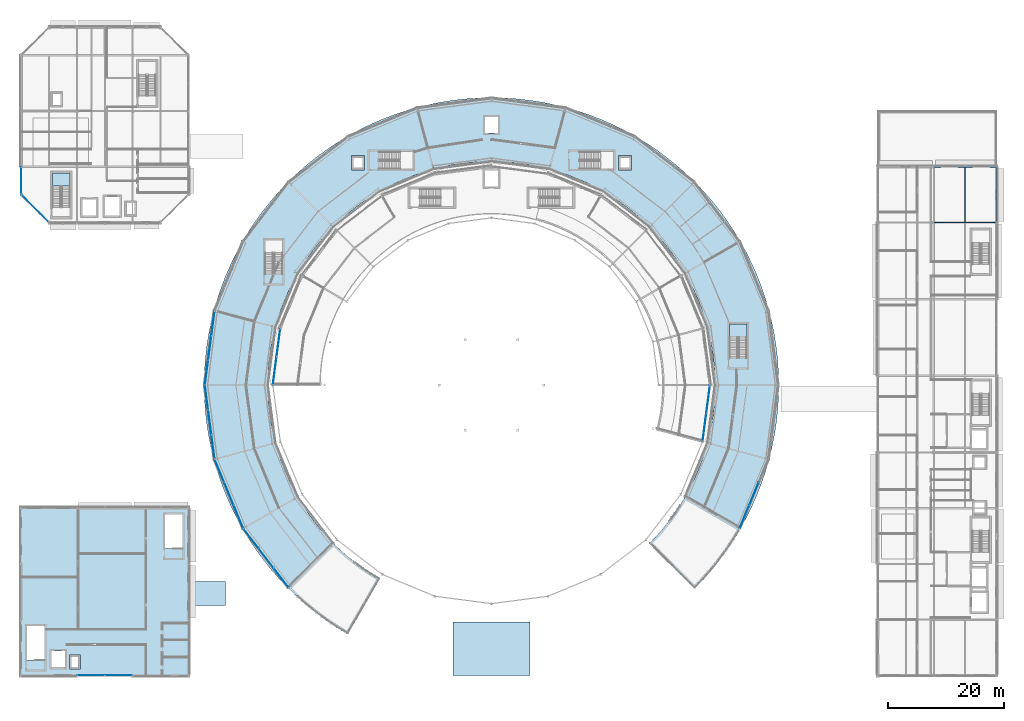
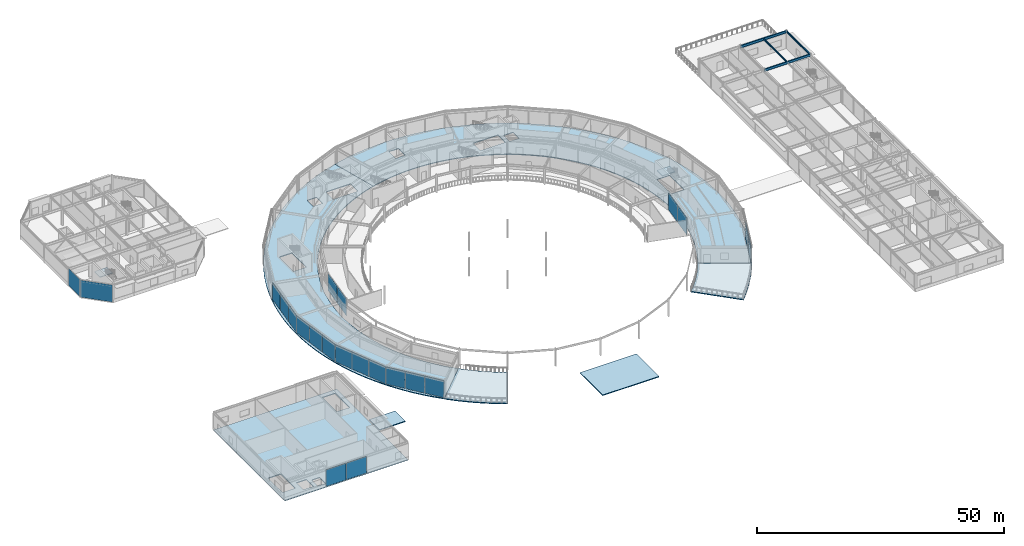
# One storey, part 95 of 133: 22 plates, 9 slabs, 4 beams, 12 elements without a shape of their own.
"""IFC4 building model written with IfcOpenShell, lengths in metres."""

import ifcopenshell
import ifcopenshell.guid

model = None  # the IFC model being written
_history = None  # IfcOwnerHistory: only IFC2X3 demands one
_inside = {}  # id of a spatial element -> (the spatial element, [elements in it])
_under = {}  # id of a project, library or spatial element -> (it, [spatial elements below it])
_declared = {}  # id of a project -> (the project, [libraries it declares])
_typed = {}  # id of a type object -> (the type object, [elements of that type])
_made_of = {}  # id of a material, layer set ... -> (it, [elements and type objects made of it])


def new_model(schema):
    """Start an empty IFC model of exactly this schema.

    Asked for "IFC4X3", IfcOpenShell would pick the latest addendum, in which some entities
    have other attributes; the version numbers below select the first issue.
    IFC2X3 requires an IfcOwnerHistory on every rooted entity: one is made here for all.
    """
    global model, _history
    if schema == "IFC4X3":
        model = ifcopenshell.file(schema_version=(4, 3, 0, 0))
    else:
        model = ifcopenshell.file(schema=schema)
    _inside.clear()
    _under.clear()
    _declared.clear()
    _typed.clear()
    _made_of.clear()
    _history = None
    if model.schema == "IFC2X3":
        org = make("IfcOrganization", Name="unknown")
        user = make(
            "IfcPersonAndOrganization",
            ThePerson=make("IfcPerson", FamilyName="unknown"),
            TheOrganization=org,
        )
        app = make(
            "IfcApplication",
            ApplicationDeveloper=org,
            Version="unknown",
            ApplicationFullName="unknown",
            ApplicationIdentifier="unknown",
        )
        _history = make(
            "IfcOwnerHistory",
            OwningUser=user,
            OwningApplication=app,
            ChangeAction="ADDED",
            CreationDate=0,
        )
    return model


def make(cls, **values):
    """One entity of the class cls with the attributes given. An attribute that is None is left unset."""
    return model.create_entity(
        cls, **{name: value for name, value in values.items() if value is not None}
    )


def rooted(cls, **values):
    """An entity with a GlobalId (a new one), such as an element, a storey or a relation."""
    return make(cls, GlobalId=ifcopenshell.guid.new(), OwnerHistory=_history, **values)


def si_unit(unit_type, name, prefix=None):
    """IfcSIUnit, for example si_unit("LENGTHUNIT", "METRE", prefix="MILLI")."""
    return make("IfcSIUnit", UnitType=unit_type, Prefix=prefix, Name=name)


def assignment(units):
    """IfcUnitAssignment: the units of a project."""
    return None if units is None else make("IfcUnitAssignment", Units=units)


def point(xyz):
    """IfcCartesianPoint."""
    return None if xyz is None else make("IfcCartesianPoint", Coordinates=xyz)


def direction(xyz):
    """IfcDirection."""
    return None if xyz is None else make("IfcDirection", DirectionRatios=xyz)


def frame(location, z_axis=None, x_axis=None):
    """IfcAxis2Placement3D, a coordinate frame: its origin and axes. An axis left out is left unset."""
    return make(
        "IfcAxis2Placement3D",
        Location=point(location),
        Axis=direction(z_axis),
        RefDirection=direction(x_axis),
    )


def frame_2d(location, x_axis=None):
    """IfcAxis2Placement2D, a coordinate frame in the plane: its origin and x axis."""
    return make(
        "IfcAxis2Placement2D", Location=point(location), RefDirection=direction(x_axis)
    )


def origin():
    """The frame at (0, 0, 0) with its axes left unset."""
    return frame((0.0, 0.0, 0.0))


def origin_2d():
    """The frame at (0, 0) in the plane with its x axis left unset."""
    return frame_2d((0.0, 0.0))


def place(relative_to, where):
    """IfcLocalPlacement: puts the frame where relative to a parent placement (None: the world)."""
    return make(
        "IfcLocalPlacement", PlacementRelTo=relative_to, RelativePlacement=where
    )


def context(
    kind, dimensions, precision=None, world=None, true_north=None, identifier=None
):
    """IfcGeometricRepresentationContext, for example the 3D "Model" context."""
    return make(
        "IfcGeometricRepresentationContext",
        ContextIdentifier=identifier,
        ContextType=kind,
        CoordinateSpaceDimension=dimensions,
        Precision=precision,
        WorldCoordinateSystem=world,
        TrueNorth=true_north,
    )


def subcontext(parent, identifier, kind, view, scale=None):
    """IfcGeometricRepresentationSubContext, for example "Body" below "Model"."""
    return make(
        "IfcGeometricRepresentationSubContext",
        ContextIdentifier=identifier,
        ContextType=kind,
        ParentContext=parent,
        TargetScale=scale,
        TargetView=view,
    )


def project(units=None, contexts=None):
    """IfcProject with its units and contexts."""
    return rooted(
        "IfcProject",
        Name="project",
        RepresentationContexts=contexts,
        UnitsInContext=assignment(units),
    )


def spatial(cls, under=None, at=None, **own):
    """A site, building, storey or space (cls), placed at a placement, below another one or the project."""
    s = rooted(cls, ObjectPlacement=at, **own)
    if under is not None:
        _under.setdefault(under.id(), (under, []))[1].append(s)
    return s


def polyline(points):
    """IfcPolyline through the points."""
    return make("IfcPolyline", Points=[point(p) for p in points])


def profile(cls, at=None, kind="AREA", **sizes):
    """A parametric profile (cls). Its sizes go by their IFC names, for example OverallWidth=200.0."""
    return make(cls, ProfileType=kind, Position=at, **sizes)


def rectangle(**sizes):
    """IfcRectangleProfileDef."""
    return profile("IfcRectangleProfileDef", **sizes)


def i_section(**sizes):
    """IfcIShapeProfileDef."""
    return profile("IfcIShapeProfileDef", **sizes)


def outline(outer, holes=None, kind="AREA"):
    """IfcArbitraryClosedProfileDef: a profile drawn as a closed curve; with holes, ...WithVoids."""
    if holes is None:
        return make("IfcArbitraryClosedProfileDef", ProfileType=kind, OuterCurve=outer)
    return make(
        "IfcArbitraryProfileDefWithVoids",
        ProfileType=kind,
        OuterCurve=outer,
        InnerCurves=holes,
    )


def extrude(swept, where, along, depth):
    """IfcExtrudedAreaSolid: the profile swept, set in the frame where, extruded along a direction by depth."""
    return make(
        "IfcExtrudedAreaSolid",
        SweptArea=swept,
        Position=where,
        ExtrudedDirection=direction(along),
        Depth=depth,
    )


def shape(context_of_items, identifier, shape_type, items):
    """IfcShapeRepresentation: the items that make up one representation, for example the "Body"."""
    return make(
        "IfcShapeRepresentation",
        ContextOfItems=context_of_items,
        RepresentationIdentifier=identifier,
        RepresentationType=shape_type,
        Items=items,
    )


def material(Name=None, Category=None):
    """IfcMaterial."""
    return make("IfcMaterial", Name=Name, Category=Category)


def layer(
    of_material, thickness, ventilated=None, Name=None, Category=None, Priority=None
):
    """IfcMaterialLayer: one layer of a wall or slab, of a material (None: an air gap)."""
    return make(
        "IfcMaterialLayer",
        Material=of_material,
        LayerThickness=thickness,
        IsVentilated=ventilated,
        Name=Name,
        Category=Category,
        Priority=Priority,
    )


def layer_set(layers, Name=None):
    """IfcMaterialLayerSet."""
    return make("IfcMaterialLayerSet", MaterialLayers=layers, LayerSetName=Name)


def material_profile(
    of_material, cross_section, Name=None, Category=None, Priority=None
):
    """IfcMaterialProfile: a cross section and its material."""
    return make(
        "IfcMaterialProfile",
        Name=Name,
        Material=of_material,
        Profile=cross_section,
        Priority=Priority,
        Category=Category,
    )


def profile_set(profiles, Name=None, composite=None):
    """IfcMaterialProfileSet."""
    return make(
        "IfcMaterialProfileSet",
        Name=Name,
        MaterialProfiles=profiles,
        CompositeProfile=composite,
    )


def made_of(thing, what):
    """Note that an element or type object is made of a material, layer set ...; save() writes the relation."""
    if what is not None:
        _made_of.setdefault(what.id(), (what, []))[1].append(thing)
    return thing


def type_object(cls, material=None, **own):
    """A type object (cls), such as IfcWallType, which elements share."""
    return made_of(rooted(cls, **own), material)


def element(
    cls,
    number,
    at=None,
    inside=None,
    cuts=None,
    type_object=None,
    material=None,
    context=None,
    identifier="Body",
    shape_type=None,
    held_by="IfcProductDefinitionShape",
    body=None,
    shapes=None,
    **own,
):
    """One element of the class cls, such as IfcWall. Its Tag is "e" and its number.

    at: its placement. inside: the storey or other place that contains it. cuts: it is an
    opening in that element (IfcRelVoidsElement). A single representation is given by context,
    identifier, shape_type and body (its items); several are given by shapes. held_by: the class
    of the entity that holds the representations. save() writes the other relations.
    """
    e = rooted(cls, Tag="e%d" % number, ObjectPlacement=at, **own)
    if body is not None:
        shapes = [shape(context, identifier, shape_type, body)]
    if shapes is not None:
        e.Representation = make(held_by, Representations=shapes)
    if inside is not None:
        _inside.setdefault(inside.id(), (inside, []))[1].append(e)
    if cuts is not None:
        rooted(
            "IfcRelVoidsElement", RelatingBuildingElement=cuts, RelatedOpeningElement=e
        )
    if type_object is not None:
        _typed.setdefault(type_object.id(), (type_object, []))[1].append(e)
    return made_of(e, material)


def aggregate(whole, parts):
    """IfcRelAggregates: a whole, such as a stair, and the parts it consists of."""
    return rooted("IfcRelAggregates", RelatingObject=whole, RelatedObjects=parts)


def save(model, path):
    """Write the relations noted so far, then the file.

    IfcRelAggregates (storeys below a building ...), IfcRelContainedInSpatialStructure (elements
    in a storey), IfcRelDefinesByType, IfcRelAssociatesMaterial and IfcRelDeclares: one each for
    every whole, place, type object, material and project.
    """
    for whole, parts in _under.values():
        aggregate(whole, parts)
    for where, things in _inside.values():
        rooted(
            "IfcRelContainedInSpatialStructure",
            RelatedElements=things,
            RelatingStructure=where,
        )
    for kind, things in _typed.values():
        rooted("IfcRelDefinesByType", RelatedObjects=things, RelatingType=kind)
    for what, things in _made_of.values():
        rooted("IfcRelAssociatesMaterial", RelatedObjects=things, RelatingMaterial=what)
    for by, libraries in _declared.values():
        rooted("IfcRelDeclares", RelatingContext=by, RelatedDefinitions=libraries)
    model.write(path)


model = new_model("IFC4")

# Units and contexts
model_context = context("Model", 3, precision=1e-05, world=origin(), true_north=direction((0.0, 1.0)))
body_context = subcontext(model_context, "Body", "Model", "MODEL_VIEW")
ifc_project = project(units=[si_unit("LENGTHUNIT", "METRE"), si_unit("AREAUNIT", "SQUARE_METRE"), si_unit("VOLUMEUNIT", "CUBIC_METRE"), si_unit("PLANEANGLEUNIT", "RADIAN"), si_unit("MASSUNIT", "GRAM", prefix="KILO")], contexts=[model_context])

# Site, building, storey
site_placement = place(None, origin())
site = spatial("IfcSite", under=ifc_project, at=site_placement, CompositionType="ELEMENT")
building_placement = place(site_placement, origin())
building = spatial("IfcBuilding", under=site, at=building_placement, Name="Almandine Court Research Institute", CompositionType="ELEMENT")
storey_placement = place(building_placement, frame((0.0, 0.0, 9.800048828125)))
storey = spatial("IfcBuildingStorey", under=building, at=storey_placement, Name="L02", CompositionType="ELEMENT", Elevation=9.800048828125)

# Beams
ifc_material_1 = material(Name="Steel ASTM A992 Grade 50", Category="steel")
ifc_material_profile_1 = material_profile(ifc_material_1, i_section(OverallWidth=0.178955078125, OverallDepth=0.409912109375, WebThickness=0.009033203125, FlangeThickness=0.013916015625, at=origin_2d()), Name="W410x67")
ifc_profile_set_1 = profile_set([ifc_material_profile_1], Name="Steel ASTM A992 Grade 50")
beam_type_1 = type_object("IfcBeamType", Name="Beam-B-02", PredefinedType="JOIST", material=ifc_profile_set_1)
beam_1_placement = place(storey_placement, frame((168.60009765625, 84.113037109375, 4.1650390625), z_axis=(0.0, 1.0, 0.0), x_axis=(-1.0, 0.0, 0.0)))
element("IfcBeam", 1, at=beam_1_placement, inside=storey, type_object=beam_type_1, Name="L02 V4 Composite Secondary Beam", PredefinedType="JOIST", context=body_context, shape_type="SweptSolid", body=[
    extrude(i_section(OverallWidth=0.178955078125, OverallDepth=0.409912109375, WebThickness=0.009033203125, FlangeThickness=0.013916015625, at=origin_2d()), origin(), (0.0, 0.0, 1.0), 9.3740234375),
])
ifc_material_profile_2 = material_profile(ifc_material_1, i_section(OverallWidth=0.22998046875, OverallDepth=0.616943359375, WebThickness=0.012939453125, FlangeThickness=0.02197265625, at=origin_2d()), Name="W610x140")
ifc_profile_set_2 = profile_set([ifc_material_profile_2], Name="Steel ASTM A992 Grade 50")
beam_type_2 = type_object("IfcBeamType", Name="Beam-G-02", PredefinedType="BEAM", material=ifc_profile_set_2)
for number, where, z_axis, x_axis, name in (
    (2, (163.199951171875, 84.0, 4.06103515625), (1.0, 0.0, 0.0), (0.0, 1.0, 0.0), "L02 V4 Primary X Girder"),
    (3, (163.199951171875, 93.60009765625, 4.06103515625), (1.0, 0.0, 0.0), (0.0, 1.0, 0.0), "L02 V4 Primary X Girder"),
):
    element("IfcBeam", number, at=place(storey_placement, frame(where, z_axis=z_axis, x_axis=x_axis)), inside=storey, type_object=beam_type_2, Name=name, PredefinedType="BEAM", context=body_context, shape_type="SweptSolid", body=[
        extrude(i_section(OverallWidth=0.22998046875, OverallDepth=0.616943359375, WebThickness=0.012939453125, FlangeThickness=0.02197265625, at=origin_2d()), origin(), (0.0, 0.0, 1.0), 10.800048828125),
    ])
ifc_material_profile_3 = material_profile(ifc_material_1, i_section(OverallWidth=0.193115234375, OverallDepth=0.466064453125, WebThickness=0.010986328125, FlangeThickness=0.01904296875, at=origin_2d()), Name="W460x97")
ifc_profile_set_3 = profile_set([ifc_material_profile_3], Name="Steel ASTM A992 Grade 50")
beam_type_3 = type_object("IfcBeamType", Name="Beam-G-06-E", PredefinedType="SPANDREL", material=ifc_profile_set_3)
beam_2_placement = place(storey_placement, frame((174.0, 84.0, 4.136962890625), z_axis=(0.0, 1.0, 0.0), x_axis=(-1.0, 0.0, 0.0)))
element("IfcBeam", 4, at=beam_2_placement, inside=storey, type_object=beam_type_3, Name="L02 V4 Primary Y Girder", PredefinedType="SPANDREL", context=body_context, shape_type="SweptSolid", body=[
    extrude(i_section(OverallWidth=0.193115234375, OverallDepth=0.466064453125, WebThickness=0.010986328125, FlangeThickness=0.01904296875, at=origin_2d()), origin(), (0.0, 0.0, 1.0), 9.60009765625),
])

# Curtain wall, plate
ifc_material_2 = material(Name="Unitised Curtain Wall Framing and Solar Glazing", Category="glass")
curtain_wall_type_1 = type_object("IfcCurtainWallType", Name="CW-CWG-05", PredefinedType="USERDEFINED", material=ifc_material_2)
curtain_wall_1_placement = place(storey_placement, origin())
curtain_wall_1 = element("IfcCurtainWall", 5, at=curtain_wall_1_placement, inside=storey, type_object=curtain_wall_type_1, Name="L02 Cleanroom SW Chamfer Glazing", ObjectType="UNITISED GLAZING", PredefinedType="USERDEFINED")
ifc_material_3 = material(Name="Double-Glazed Low-E Argon Insulated Glass", Category="glass")
ifc_layer_1 = layer(ifc_material_3, 0.028076171875)
ifc_layer_set_1 = layer_set([ifc_layer_1], Name="Double-Glazed Low-E Argon Insulated Glass")
plate_type_1 = type_object("IfcPlateType", Name="CWPnl-GLZ-28", PredefinedType="CURTAIN_PANEL", material=ifc_layer_set_1)
plate_1_placement = place(storey_placement, frame((8.39990234375, 86.39990234375, 0.06005859375), z_axis=(0.0, 0.0, 1.0), x_axis=(-0.707106781187, 0.707106781187, 0.0)))
plate_1 = element("IfcPlate", 6, at=plate_1_placement, type_object=plate_type_1, Name="CWG-05 panel 1.1", PredefinedType="CURTAIN_PANEL", context=body_context, shape_type="SweptSolid", body=[
    extrude(rectangle(XDim=6.656982421875, YDim=0.028076171875, at=origin_2d()), origin(), (0.0, 0.0, 1.0), 4.25),
])
aggregate(curtain_wall_1, [plate_1])

# Curtain wall, plates
curtain_wall_type_2 = type_object("IfcCurtainWallType", Name="CW-CWG-24", PredefinedType="USERDEFINED", material=ifc_material_2)
curtain_wall_2_placement = place(storey_placement, origin())
curtain_wall_2 = element("IfcCurtainWall", 7, at=curtain_wall_2_placement, inside=storey, type_object=curtain_wall_type_2, Name="L02 Interaction Atrium Perimeter Curtain Wall 23", ObjectType="UNITISED GLAZING", PredefinedType="USERDEFINED")
plate_2_placement = place(storey_placement, frame((124.32763671875, 53.546875, 0.06005859375), z_axis=(0.0, 0.0, 1.0), x_axis=(-0.130536164028, -0.991443548509, 0.0)))
plate_2 = element("IfcPlate", 8, at=plate_2_placement, type_object=plate_type_1, Name="CWG-24 panel 1.1", PredefinedType="CURTAIN_PANEL", context=body_context, shape_type="SweptSolid", body=[
    extrude(rectangle(XDim=4.820556640625, YDim=0.028076171875, at=origin_2d()), origin(), (0.0, 0.0, 1.0), 4.25),
])
plate_3_placement = place(storey_placement, frame((123.6904296875, 48.7080078125, 0.06005859375), z_axis=(0.0, 0.0, 1.0), x_axis=(-0.130536164028, -0.991443548509, 0.0)))
plate_3 = element("IfcPlate", 9, at=plate_3_placement, type_object=plate_type_1, Name="CWG-24 panel 2.1", PredefinedType="CURTAIN_PANEL", context=body_context, shape_type="SweptSolid", body=[
    extrude(rectangle(XDim=4.820556640625, YDim=0.028076171875, at=origin_2d()), origin(), (0.0, 0.0, 1.0), 4.25),
])
aggregate(curtain_wall_2, [plate_2, plate_3])

curtain_wall_3_placement = place(storey_placement, origin())
curtain_wall_3 = element("IfcCurtainWall", 10, at=curtain_wall_3_placement, inside=storey, type_object=curtain_wall_type_2, Name="L02 Interaction Atrium Perimeter Curtain Wall 11", ObjectType="UNITISED GLAZING", PredefinedType="USERDEFINED")
plate_4_placement = place(storey_placement, frame((49.67236328125, 58.453125, 0.06005859375), z_axis=(0.0, 0.0, 1.0), x_axis=(0.130536164028, 0.991443548509, 0.0)))
plate_4 = element("IfcPlate", 11, at=plate_4_placement, type_object=plate_type_1, Name="CWG-24 panel 1.1", PredefinedType="CURTAIN_PANEL", context=body_context, shape_type="SweptSolid", body=[
    extrude(rectangle(XDim=4.820556640625, YDim=0.028076171875, at=origin_2d()), origin(), (0.0, 0.0, 1.0), 4.25),
])
plate_5_placement = place(storey_placement, frame((50.3095703125, 63.2919921875, 0.06005859375), z_axis=(0.0, 0.0, 1.0), x_axis=(0.130536164028, 0.991443548509, 0.0)))
plate_5 = element("IfcPlate", 12, at=plate_5_placement, type_object=plate_type_1, Name="CWG-24 panel 2.1", PredefinedType="CURTAIN_PANEL", context=body_context, shape_type="SweptSolid", body=[
    extrude(rectangle(XDim=4.820556640625, YDim=0.028076171875, at=origin_2d()), origin(), (0.0, 0.0, 1.0), 4.25),
])
aggregate(curtain_wall_3, [plate_4, plate_5])

curtain_wall_type_3 = type_object("IfcCurtainWallType", Name="CW-CWJ-03", PredefinedType="USERDEFINED", material=ifc_material_2)
curtain_wall_4_placement = place(storey_placement, origin())
curtain_wall_4 = element("IfcCurtainWall", 13, at=curtain_wall_4_placement, inside=storey, type_object=curtain_wall_type_3, Name="L02 Lecture Foyer South Jali Curtain Wall", ObjectType="SOLAR JALI SCREEN", PredefinedType="USERDEFINED")
ifc_material_4 = material(Name="Perforated Ochre Terracotta Jali Solar Cassette", Category="masonry")
ifc_layer_2 = layer(ifc_material_4, 0.035888671875)
ifc_layer_set_2 = layer_set([ifc_layer_2], Name="Perforated Ochre Terracotta Jali Solar Cassette")
plate_type_2 = type_object("IfcPlateType", Name="CWPnl-JALI-36", PredefinedType="CURTAIN_PANEL", material=ifc_layer_set_2)
plate_6_placement = place(storey_placement, frame((22.78173828125, 6.0, 0.06494140625), z_axis=(0.0, 0.0, 1.0), x_axis=(-1.0, 0.0, 0.0)))
plate_6 = element("IfcPlate", 14, at=plate_6_placement, type_object=plate_type_2, Name="CWJ-03 panel 1.1", PredefinedType="CURTAIN_PANEL", context=body_context, shape_type="SweptSolid", body=[
    extrude(rectangle(XDim=4.698486328125, YDim=0.035888671875, at=origin_2d()), origin(), (0.0, 0.0, 1.0), 4.1201171875),
])
plate_7_placement = place(storey_placement, frame((18.018310546875, 6.0, 0.06494140625), z_axis=(0.0, 0.0, 1.0), x_axis=(-1.0, 0.0, 0.0)))
plate_7 = element("IfcPlate", 15, at=plate_7_placement, type_object=plate_type_2, Name="CWJ-03 panel 2.1", PredefinedType="CURTAIN_PANEL", context=body_context, shape_type="SweptSolid", body=[
    extrude(rectangle(XDim=4.698486328125, YDim=0.035888671875, at=origin_2d()), origin(), (0.0, 0.0, 1.0), 4.1201171875),
])
aggregate(curtain_wall_4, [plate_6, plate_7])

# Curtain wall, plate
curtain_wall_type_4 = type_object("IfcCurtainWallType", Name="CW-CWJ-06", PredefinedType="USERDEFINED", material=ifc_material_2)
curtain_wall_5_placement = place(storey_placement, origin())
curtain_wall_5 = element("IfcCurtainWall", 16, at=curtain_wall_5_placement, inside=storey, type_object=curtain_wall_type_4, Name="L02 Cleanroom West Jali Curtain Wall", ObjectType="SOLAR JALI SCREEN", PredefinedType="USERDEFINED")
plate_8_placement = place(storey_placement, frame((6.0, 91.199951171875, 0.06494140625), z_axis=(0.0, 0.0, 1.0), x_axis=(0.0, 1.0, 0.0)))
plate_8 = element("IfcPlate", 17, at=plate_8_placement, type_object=plate_type_2, Name="CWJ-06 panel 1.1", PredefinedType="CURTAIN_PANEL", context=body_context, shape_type="SweptSolid", body=[
    extrude(rectangle(XDim=4.662109375, YDim=0.035888671875, at=origin_2d()), origin(), (0.0, 0.0, 1.0), 4.239990234375),
])
aggregate(curtain_wall_5, [plate_8])

# Curtain wall, plates
curtain_wall_type_5 = type_object("IfcCurtainWallType", Name="CW-CWJ-19", PredefinedType="USERDEFINED", material=ifc_material_2)
curtain_wall_6_placement = place(storey_placement, origin())
curtain_wall_6 = element("IfcCurtainWall", 18, at=curtain_wall_6_placement, inside=storey, type_object=curtain_wall_type_5, Name="L02 Stacked-Ring Drum Outer Solar Jali Screen 22", ObjectType="SOLAR JALI SCREEN", PredefinedType="USERDEFINED")
plate_9_placement = place(storey_placement, frame((132.212890625, 37.27197265625, 0.06494140625), z_axis=(0.0, 0.0, 1.0), x_axis=(-0.382662689242, -0.923888124321, 0.0)))
plate_9 = element("IfcPlate", 19, at=plate_9_placement, type_object=plate_type_2, Name="CWJ-19 panel 2.1", PredefinedType="CURTAIN_PANEL", context=body_context, shape_type="SweptSolid", body=[
    extrude(rectangle(XDim=4.227783203125, YDim=0.035888671875, at=origin_2d()), origin(), (0.0, 0.0, 1.0), 4.239990234375),
])
plate_10_placement = place(storey_placement, frame((130.57666015625, 33.321044921875, 0.06494140625), z_axis=(0.0, 0.0, 1.0), x_axis=(-0.382662689242, -0.923888124321, 0.0)))
plate_10 = element("IfcPlate", 20, at=plate_10_placement, type_object=plate_type_2, Name="CWJ-19 panel 3.1", PredefinedType="CURTAIN_PANEL", context=body_context, shape_type="SweptSolid", body=[
    extrude(rectangle(XDim=4.1953125, YDim=0.035888671875, at=origin_2d()), origin(), (0.0, 0.0, 1.0), 4.239990234375),
])
aggregate(curtain_wall_6, [plate_9, plate_10])

curtain_wall_7_placement = place(storey_placement, origin())
curtain_wall_7 = element("IfcCurtainWall", 21, at=curtain_wall_7_placement, inside=storey, type_object=curtain_wall_type_5, Name="L02 Stacked-Ring Drum Outer Solar Jali Screen 11", ObjectType="SOLAR JALI SCREEN", PredefinedType="USERDEFINED")
plate_11_placement = place(storey_placement, frame((37.92236328125, 58.14794921875, 0.06494140625), z_axis=(0.0, 0.0, 1.0), x_axis=(0.130540891259, 0.991442926098, 0.0)))
plate_11 = element("IfcPlate", 22, at=plate_11_placement, type_object=plate_type_2, Name="CWJ-19 panel 1.1", PredefinedType="CURTAIN_PANEL", context=body_context, shape_type="SweptSolid", body=[
    extrude(rectangle(XDim=4.19482421875, YDim=0.035888671875, at=origin_2d()), origin(), (0.0, 0.0, 1.0), 4.239990234375),
])
plate_12_placement = place(storey_placement, frame((38.48046875, 62.387451171875, 0.06494140625), z_axis=(0.0, 0.0, 1.0), x_axis=(0.130540891259, 0.991442926098, 0.0)))
plate_12 = element("IfcPlate", 23, at=plate_12_placement, type_object=plate_type_2, Name="CWJ-19 panel 2.1", PredefinedType="CURTAIN_PANEL", context=body_context, shape_type="SweptSolid", body=[
    extrude(rectangle(XDim=4.227294921875, YDim=0.035888671875, at=origin_2d()), origin(), (0.0, 0.0, 1.0), 4.239990234375),
])
plate_13_placement = place(storey_placement, frame((39.038818359375, 66.626953125, 0.06494140625), z_axis=(0.0, 0.0, 1.0), x_axis=(0.130540891259, 0.991442926098, 0.0)))
plate_13 = element("IfcPlate", 24, at=plate_13_placement, type_object=plate_type_2, Name="CWJ-19 panel 3.1", PredefinedType="CURTAIN_PANEL", context=body_context, shape_type="SweptSolid", body=[
    extrude(rectangle(XDim=4.19482421875, YDim=0.035888671875, at=origin_2d()), origin(), (0.0, 0.0, 1.0), 4.239990234375),
])
aggregate(curtain_wall_7, [plate_11, plate_12, plate_13])

curtain_wall_8_placement = place(storey_placement, origin())
curtain_wall_8 = element("IfcCurtainWall", 25, at=curtain_wall_8_placement, inside=storey, type_object=curtain_wall_type_5, Name="L02 Stacked-Ring Drum Outer Solar Jali Screen 12", ObjectType="SOLAR JALI SCREEN", PredefinedType="USERDEFINED")
plate_14_placement = place(storey_placement, frame((39.038818359375, 45.373046875, 0.06494140625), z_axis=(0.0, 0.0, 1.0), x_axis=(-0.130540891259, 0.991442926098, 0.0)))
plate_14 = element("IfcPlate", 26, at=plate_14_placement, type_object=plate_type_2, Name="CWJ-19 panel 1.1", PredefinedType="CURTAIN_PANEL", context=body_context, shape_type="SweptSolid", body=[
    extrude(rectangle(XDim=4.19482421875, YDim=0.035888671875, at=origin_2d()), origin(), (0.0, 0.0, 1.0), 4.239990234375),
])
plate_15_placement = place(storey_placement, frame((38.48046875, 49.612548828125, 0.06494140625), z_axis=(0.0, 0.0, 1.0), x_axis=(-0.130540891259, 0.991442926098, 0.0)))
plate_15 = element("IfcPlate", 27, at=plate_15_placement, type_object=plate_type_2, Name="CWJ-19 panel 2.1", PredefinedType="CURTAIN_PANEL", context=body_context, shape_type="SweptSolid", body=[
    extrude(rectangle(XDim=4.227294921875, YDim=0.035888671875, at=origin_2d()), origin(), (0.0, 0.0, 1.0), 4.239990234375),
])
plate_16_placement = place(storey_placement, frame((37.92236328125, 53.85205078125, 0.06494140625), z_axis=(0.0, 0.0, 1.0), x_axis=(-0.130540891259, 0.991442926098, 0.0)))
plate_16 = element("IfcPlate", 28, at=plate_16_placement, type_object=plate_type_2, Name="CWJ-19 panel 3.1", PredefinedType="CURTAIN_PANEL", context=body_context, shape_type="SweptSolid", body=[
    extrude(rectangle(XDim=4.19482421875, YDim=0.035888671875, at=origin_2d()), origin(), (0.0, 0.0, 1.0), 4.239990234375),
])
aggregate(curtain_wall_8, [plate_14, plate_15, plate_16])

curtain_wall_9_placement = place(storey_placement, origin())
curtain_wall_9 = element("IfcCurtainWall", 29, at=curtain_wall_9_placement, inside=storey, type_object=curtain_wall_type_5, Name="L02 Stacked-Ring Drum Outer Solar Jali Screen 13", ObjectType="SOLAR JALI SCREEN", PredefinedType="USERDEFINED")
plate_17_placement = place(storey_placement, frame((43.42333984375, 33.321044921875, 0.06494140625), z_axis=(0.0, 0.0, 1.0), x_axis=(-0.382662689242, 0.923888124321, 0.0)))
plate_17 = element("IfcPlate", 30, at=plate_17_placement, type_object=plate_type_2, Name="CWJ-19 panel 1.1", PredefinedType="CURTAIN_PANEL", context=body_context, shape_type="SweptSolid", body=[
    extrude(rectangle(XDim=4.1953125, YDim=0.035888671875, at=origin_2d()), origin(), (0.0, 0.0, 1.0), 4.239990234375),
])
plate_18_placement = place(storey_placement, frame((41.787109375, 37.27197265625, 0.06494140625), z_axis=(0.0, 0.0, 1.0), x_axis=(-0.382662689242, 0.923888124321, 0.0)))
plate_18 = element("IfcPlate", 31, at=plate_18_placement, type_object=plate_type_2, Name="CWJ-19 panel 2.1", PredefinedType="CURTAIN_PANEL", context=body_context, shape_type="SweptSolid", body=[
    extrude(rectangle(XDim=4.227783203125, YDim=0.035888671875, at=origin_2d()), origin(), (0.0, 0.0, 1.0), 4.239990234375),
])
plate_19_placement = place(storey_placement, frame((40.150634765625, 41.222900390625, 0.06494140625), z_axis=(0.0, 0.0, 1.0), x_axis=(-0.382662689242, 0.923888124321, 0.0)))
plate_19 = element("IfcPlate", 32, at=plate_19_placement, type_object=plate_type_2, Name="CWJ-19 panel 3.1", PredefinedType="CURTAIN_PANEL", context=body_context, shape_type="SweptSolid", body=[
    extrude(rectangle(XDim=4.1953125, YDim=0.035888671875, at=origin_2d()), origin(), (0.0, 0.0, 1.0), 4.239990234375),
])
aggregate(curtain_wall_9, [plate_17, plate_18, plate_19])

curtain_wall_10_placement = place(storey_placement, origin())
curtain_wall_10 = element("IfcCurtainWall", 33, at=curtain_wall_10_placement, inside=storey, type_object=curtain_wall_type_5, Name="L02 Stacked-Ring Drum Outer Solar Jali Screen 14", ObjectType="SOLAR JALI SCREEN", PredefinedType="USERDEFINED")
plate_20_placement = place(storey_placement, frame((50.777587890625, 22.815673828125, 0.06494140625), z_axis=(0.0, 0.0, 1.0), x_axis=(-0.608723313303, 0.793382586046, 0.0)))
plate_20 = element("IfcPlate", 34, at=plate_20_placement, type_object=plate_type_2, Name="CWJ-19 panel 1.1", PredefinedType="CURTAIN_PANEL", context=body_context, shape_type="SweptSolid", body=[
    extrude(rectangle(XDim=4.195068359375, YDim=0.035888671875, at=origin_2d()), origin(), (0.0, 0.0, 1.0), 4.239990234375),
])
plate_21_placement = place(storey_placement, frame((48.174560546875, 26.20849609375, 0.06494140625), z_axis=(0.0, 0.0, 1.0), x_axis=(-0.608723313303, 0.793382586046, 0.0)))
plate_21 = element("IfcPlate", 35, at=plate_21_placement, type_object=plate_type_2, Name="CWJ-19 panel 2.1", PredefinedType="CURTAIN_PANEL", context=body_context, shape_type="SweptSolid", body=[
    extrude(rectangle(XDim=4.2275390625, YDim=0.035888671875, at=origin_2d()), origin(), (0.0, 0.0, 1.0), 4.239990234375),
])
plate_22_placement = place(storey_placement, frame((45.5712890625, 29.601318359375, 0.06494140625), z_axis=(0.0, 0.0, 1.0), x_axis=(-0.608723313303, 0.793382586046, 0.0)))
plate_22 = element("IfcPlate", 36, at=plate_22_placement, type_object=plate_type_2, Name="CWJ-19 panel 3.1", PredefinedType="CURTAIN_PANEL", context=body_context, shape_type="SweptSolid", body=[
    extrude(rectangle(XDim=4.195068359375, YDim=0.035888671875, at=origin_2d()), origin(), (0.0, 0.0, 1.0), 4.239990234375),
])
aggregate(curtain_wall_10, [plate_20, plate_21, plate_22])

# Slabs
ifc_material_5 = material(Name="Concrete C35/45", Category="concrete")
ifc_layer_3 = layer(ifc_material_5, 0.179931640625)
ifc_layer_set_3 = layer_set([ifc_layer_3], Name="Concrete C35/45")
slab_type_1 = type_object("IfcSlabType", Name="Slab-FLR-180", PredefinedType="FLOOR", material=ifc_layer_set_3)
slab_1_placement = place(storey_placement, frame((0.0, 0.0, -0.179931640625)))
element("IfcSlab", 37, at=slab_1_placement, inside=storey, type_object=slab_type_1, Name="L02 Volume 1 Lecture Pavilion Structural Slab", PredefinedType="FLOOR", context=body_context, shape_type="SweptSolid", body=[
    extrude(outline(polyline([(6.0, 6.0), (34.800048828125, 6.0), (34.800048828125, 34.800048828125), (6.0, 34.800048828125), (6.0, 6.0)]), holes=[polyline([(10.0, 8.64990234375), (10.0, 14.5), (7.0, 14.5), (7.0, 8.64990234375), (10.0, 8.64990234375)]), polyline([(33.800048828125, 27.85009765625), (33.800048828125, 33.699951171875), (30.800048828125, 33.699951171875), (30.800048828125, 27.85009765625), (33.800048828125, 27.85009765625)]), polyline([(11.199951171875, 7.39990234375), (13.5, 7.39990234375), (13.5, 10.199951171875), (11.199951171875, 10.199951171875), (11.199951171875, 7.39990234375)]), polyline([(14.330078125, 7.080078125), (16.169921875, 7.080078125), (16.169921875, 9.52001953125), (14.330078125, 9.52001953125), (14.330078125, 7.080078125)])]), origin(), (0.0, 0.0, 1.0), 0.179931640625),
])
slab_2_placement = place(storey_placement, frame((0.0, 0.0, -0.179931640625)))
element("IfcSlab", 38, at=slab_2_placement, inside=storey, type_object=slab_type_1, Name="L02 Volume 5 Stacked-Ring Drum E Laboratory Slab", PredefinedType="FLOOR", context=body_context, shape_type="SweptSolid", body=[
    extrude(outline(polyline([(129.867919921875, 31.25), (130.906982421875, 33.14306640625), (131.862060546875, 35.080078125), (132.73193359375, 37.056884765625), (133.514892578125, 39.070068359375), (134.208984375, 41.114990234375), (134.81298828125, 43.18798828125), (135.326904296875, 45.285888671875), (135.748046875, 47.404052734375), (136.076904296875, 49.5390625), (136.31201171875, 51.68603515625), (136.452880859375, 53.841064453125), (136.5, 56.0), (136.452880859375, 58.158935546875), (136.31201171875, 60.31396484375), (136.076904296875, 62.4609375), (135.748046875, 64.595947265625), (135.326904296875, 66.714111328125), (134.81298828125, 68.81201171875), (134.208984375, 70.885009765625), (133.514892578125, 72.929931640625), (132.73193359375, 74.943115234375), (131.862060546875, 76.919921875), (130.906982421875, 78.85693359375), (129.867919921875, 80.75), (128.748046875, 82.595947265625), (127.548095703125, 84.39208984375), (126.27099609375, 86.134033203125), (124.9189453125, 87.818115234375), (123.4951171875, 89.44189453125), (122.001953125, 91.001953125), (120.44189453125, 92.4951171875), (118.818115234375, 93.9189453125), (117.134033203125, 95.27099609375), (115.39208984375, 96.548095703125), (113.595947265625, 97.748046875), (111.75, 98.867919921875), (109.85693359375, 99.906982421875), (107.919921875, 100.862060546875), (105.943115234375, 101.73193359375), (103.929931640625, 102.514892578125), (101.885009765625, 103.208984375), (99.81201171875, 103.81298828125), (97.714111328125, 104.326904296875), (95.595947265625, 104.748046875), (93.4609375, 105.076904296875), (91.31396484375, 105.31201171875), (89.158935546875, 105.452880859375), (87.0, 105.5), (84.841064453125, 105.452880859375), (82.68603515625, 105.31201171875), (80.5390625, 105.076904296875), (78.404052734375, 104.748046875), (76.285888671875, 104.326904296875), (74.18798828125, 103.81298828125), (77.034912109375, 93.18798828125), (78.6669921875, 93.5869140625), (80.31494140625, 93.9150390625), (81.97509765625, 94.1708984375), (83.64501953125, 94.35302734375), (85.321044921875, 94.462890625), (87.0, 94.5), (88.678955078125, 94.462890625), (90.35498046875, 94.35302734375), (92.02490234375, 94.1708984375), (93.68505859375, 93.9150390625), (95.3330078125, 93.5869140625), (96.965087890625, 93.18798828125), (98.576904296875, 92.718017578125), (100.16796875, 92.177978515625), (101.73291015625, 91.569091796875), (103.27099609375, 90.89306640625), (104.777099609375, 90.14990234375), (106.25, 89.342041015625), (107.68603515625, 88.470947265625), (109.0830078125, 87.537109375), (110.43701171875, 86.5439453125), (111.7470703125, 85.492919921875), (113.010009765625, 84.385009765625), (114.22412109375, 83.22412109375), (115.385009765625, 82.010009765625), (116.492919921875, 80.7470703125), (117.5439453125, 79.43701171875), (118.537109375, 78.0830078125), (119.470947265625, 76.68603515625), (120.342041015625, 75.25), (121.14990234375, 73.777099609375), (121.89306640625, 72.27099609375), (122.569091796875, 70.73291015625), (123.177978515625, 69.16796875), (123.718017578125, 67.576904296875), (124.18798828125, 65.965087890625), (124.5869140625, 64.3330078125), (124.9150390625, 62.68505859375), (125.1708984375, 61.02490234375), (125.35302734375, 59.35498046875), (125.462890625, 57.678955078125), (125.5, 56.0), (125.462890625, 54.321044921875), (125.35302734375, 52.64501953125), (125.1708984375, 50.97509765625), (124.9150390625, 49.31494140625), (124.5869140625, 47.6669921875), (124.18798828125, 46.034912109375), (123.718017578125, 44.423095703125), (123.177978515625, 42.83203125), (122.569091796875, 41.26708984375), (121.89306640625, 39.72900390625), (121.14990234375, 38.222900390625), (120.342041015625, 36.75), (129.867919921875, 31.25)]), holes=[polyline([(102.14990234375, 93.199951171875), (108.0, 93.199951171875), (108.0, 96.199951171875), (102.14990234375, 96.199951171875), (102.14990234375, 93.199951171875)]), polyline([(131.0, 60.64990234375), (131.0, 66.5), (128.0, 66.5), (128.0, 60.64990234375), (131.0, 60.64990234375)]), polyline([(85.85009765625, 99.39990234375), (88.14990234375, 99.39990234375), (88.14990234375, 102.199951171875), (85.85009765625, 102.199951171875), (85.85009765625, 99.39990234375)]), polyline([(108.8798828125, 93.080078125), (111.1201171875, 93.080078125), (111.1201171875, 95.52001953125), (108.8798828125, 95.52001953125), (108.8798828125, 93.080078125)])]), origin(), (0.0, 0.0, 1.0), 0.179931640625),
])
slab_3_placement = place(storey_placement, frame((0.0, 0.0, -0.179931640625)))
element("IfcSlab", 39, at=slab_3_placement, inside=storey, type_object=slab_type_1, Name="L02 Volume 5 Stacked-Ring Drum W Laboratory Slab", PredefinedType="FLOOR", context=body_context, shape_type="SweptSolid", body=[
    extrude(outline(polyline([(74.18798828125, 103.81298828125), (72.114990234375, 103.208984375), (70.070068359375, 102.514892578125), (68.056884765625, 101.73193359375), (66.080078125, 100.862060546875), (64.14306640625, 99.906982421875), (62.25, 98.867919921875), (60.404052734375, 97.748046875), (58.60791015625, 96.548095703125), (56.865966796875, 95.27099609375), (55.181884765625, 93.9189453125), (53.55810546875, 92.4951171875), (51.998046875, 91.001953125), (50.5048828125, 89.44189453125), (49.0810546875, 87.818115234375), (47.72900390625, 86.134033203125), (46.451904296875, 84.39208984375), (45.251953125, 82.595947265625), (44.132080078125, 80.75), (43.093017578125, 78.85693359375), (42.137939453125, 76.919921875), (41.26806640625, 74.943115234375), (40.485107421875, 72.929931640625), (39.791015625, 70.885009765625), (39.18701171875, 68.81201171875), (38.673095703125, 66.714111328125), (38.251953125, 64.595947265625), (37.923095703125, 62.4609375), (37.68798828125, 60.31396484375), (37.547119140625, 58.158935546875), (37.5, 56.0), (37.547119140625, 53.841064453125), (37.68798828125, 51.68603515625), (37.923095703125, 49.5390625), (38.251953125, 47.404052734375), (38.673095703125, 45.285888671875), (39.18701171875, 43.18798828125), (39.791015625, 41.114990234375), (40.485107421875, 39.070068359375), (41.26806640625, 37.056884765625), (42.137939453125, 35.080078125), (43.093017578125, 33.14306640625), (44.132080078125, 31.25), (45.251953125, 29.404052734375), (46.451904296875, 27.60791015625), (47.72900390625, 25.865966796875), (49.0810546875, 24.181884765625), (50.5048828125, 22.55810546875), (51.998046875, 20.998046875), (59.77587890625, 28.77587890625), (58.614990234375, 29.989990234375), (57.507080078125, 31.2529296875), (56.4560546875, 32.56298828125), (55.462890625, 33.9169921875), (54.529052734375, 35.31396484375), (53.657958984375, 36.75), (52.85009765625, 38.222900390625), (52.10693359375, 39.72900390625), (51.430908203125, 41.26708984375), (50.822021484375, 42.83203125), (50.281982421875, 44.423095703125), (49.81201171875, 46.034912109375), (49.4130859375, 47.6669921875), (49.0849609375, 49.31494140625), (48.8291015625, 50.97509765625), (48.64697265625, 52.64501953125), (48.537109375, 54.321044921875), (48.5, 56.0), (48.537109375, 57.678955078125), (48.64697265625, 59.35498046875), (48.8291015625, 61.02490234375), (49.0849609375, 62.68505859375), (49.4130859375, 64.3330078125), (49.81201171875, 65.965087890625), (50.281982421875, 67.576904296875), (50.822021484375, 69.16796875), (51.430908203125, 70.73291015625), (52.10693359375, 72.27099609375), (52.85009765625, 73.777099609375), (53.657958984375, 75.25), (54.529052734375, 76.68603515625), (55.462890625, 78.0830078125), (56.4560546875, 79.43701171875), (57.507080078125, 80.7470703125), (58.614990234375, 82.010009765625), (59.77587890625, 83.22412109375), (60.989990234375, 84.385009765625), (62.2529296875, 85.492919921875), (63.56298828125, 86.5439453125), (64.9169921875, 87.537109375), (66.31396484375, 88.470947265625), (67.75, 89.342041015625), (69.222900390625, 90.14990234375), (70.72900390625, 90.89306640625), (72.26708984375, 91.569091796875), (73.83203125, 92.177978515625), (75.423095703125, 92.718017578125), (77.034912109375, 93.18798828125), (74.18798828125, 103.81298828125)]), holes=[polyline([(67.64990234375, 93.199951171875), (73.5, 93.199951171875), (73.5, 96.199951171875), (67.64990234375, 96.199951171875), (67.64990234375, 93.199951171875)]), polyline([(51.0, 75.14990234375), (51.0, 81.0), (48.0, 81.0), (48.0, 75.14990234375), (51.0, 75.14990234375)]), polyline([(62.8798828125, 93.080078125), (65.1201171875, 93.080078125), (65.1201171875, 95.52001953125), (62.8798828125, 95.52001953125), (62.8798828125, 93.080078125)])]), origin(), (0.0, 0.0, 1.0), 0.179931640625),
])

# Stair, slab
stair_type = type_object("IfcStairType", Name="Stair-Core-26R", PredefinedType="HALF_TURN_STAIR", material=ifc_material_5)
stair_1_placement = place(storey_placement, origin())
stair_1 = element("IfcStair", 40, at=stair_1_placement, inside=storey, type_object=stair_type, Name="L02 Cleanroom Pavilion South Exit Stair", PredefinedType="HALF_TURN_STAIR")
ifc_layer_4 = layer(ifc_material_5, 0.179931640625)
ifc_layer_set_4 = layer_set([ifc_layer_4], Name="Concrete C35/45")
slab_type_2 = type_object("IfcSlabType", Name="Slab-Landing-180", PredefinedType="LANDING", material=ifc_layer_set_4)
slab_4_placement = place(storey_placement, frame((0.0, 0.0, 2.094970703125)))
slab_4 = element("IfcSlab", 41, at=slab_4_placement, type_object=slab_type_2, Name="ST-05 landing 1", PredefinedType="LANDING", context=body_context, shape_type="SweptSolid", body=[
    extrude(outline(polyline([(14.39990234375, 90.25), (14.39990234375, 92.5), (11.39990234375, 92.5), (11.39990234375, 90.25), (14.39990234375, 90.25)])), origin(), (0.0, 0.0, 1.0), 0.179931640625),
])
aggregate(stair_1, [slab_4])

stair_2_placement = place(storey_placement, origin())
stair_2 = element("IfcStair", 42, at=stair_2_placement, inside=storey, type_object=stair_type, Name="L02 Drum East Exit Stair", PredefinedType="HALF_TURN_STAIR")
slab_5_placement = place(storey_placement, frame((0.0, 0.0, 2.094970703125)))
slab_5 = element("IfcSlab", 43, at=slab_5_placement, type_object=slab_type_2, Name="ST-14 landing 1", PredefinedType="LANDING", context=body_context, shape_type="SweptSolid", body=[
    extrude(outline(polyline([(131.0, 64.25), (131.0, 66.5), (128.0, 66.5), (128.0, 64.25), (131.0, 64.25)])), origin(), (0.0, 0.0, 1.0), 0.179931640625),
])
aggregate(stair_2, [slab_5])

# Slabs
ifc_layer_5 = layer(ifc_material_5, 0.199951171875)
ifc_layer_set_5 = layer_set([ifc_layer_5], Name="Concrete C35/45")
slab_type_3 = type_object("IfcSlabType", Name="Slab-RF-200", PredefinedType="ROOF", material=ifc_layer_set_5)
slab_6_placement = place(storey_placement, frame((0.0, 0.0, -0.199951171875)))
element("IfcSlab", 44, at=slab_6_placement, inside=storey, type_object=slab_type_3, Name="L02 Southwest Covered Dalan Passage Canopy Roof Slab", PredefinedType="ROOF", context=body_context, shape_type="SweptSolid", body=[
    extrude(outline(polyline([(35.10009765625, 18.0), (41.199951171875, 18.0), (41.199951171875, 22.199951171875), (35.10009765625, 22.199951171875), (35.10009765625, 18.0)])), origin(), (0.0, 0.0, 1.0), 0.199951171875),
])
slab_7_placement = place(storey_placement, frame((0.0, 0.0, -0.199951171875)))
element("IfcSlab", 45, at=slab_7_placement, inside=storey, type_object=slab_type_3, Name="L02 South Boulevard Pishtaq Entrance Portal Canopy Roof Slab", PredefinedType="ROOF", context=body_context, shape_type="SweptSolid", body=[
    extrude(outline(polyline([(80.39990234375, 6.0), (93.60009765625, 6.0), (93.60009765625, 15.199951171875), (80.39990234375, 15.199951171875), (80.39990234375, 6.0)])), origin(), (0.0, 0.0, 1.0), 0.199951171875),
])
ifc_layer_6 = layer(ifc_material_5, 0.22509765625)
ifc_layer_set_6 = layer_set([ifc_layer_6], Name="Concrete C35/45")
slab_type_4 = type_object("IfcSlabType", Name="Slab-TER-225", PredefinedType="FLOOR", material=ifc_layer_set_6)
slab_8_placement = place(storey_placement, frame((0.0, 0.0, -0.22509765625)))
element("IfcSlab", 46, at=slab_8_placement, inside=storey, type_object=slab_type_4, Name="L02 Volume 5 Stacked-Ring Terrace Slab 1", PredefinedType="FLOOR", context=body_context, shape_type="SweptSolid", body=[
    extrude(outline(polyline([(122.001953125, 20.998046875), (123.4951171875, 22.55810546875), (124.9189453125, 24.181884765625), (126.27099609375, 25.865966796875), (127.548095703125, 27.60791015625), (128.748046875, 29.404052734375), (129.867919921875, 31.25), (120.342041015625, 36.75), (119.470947265625, 35.31396484375), (118.537109375, 33.9169921875), (117.5439453125, 32.56298828125), (116.492919921875, 31.2529296875), (115.385009765625, 29.989990234375), (114.22412109375, 28.77587890625), (122.001953125, 20.998046875)])), origin(), (0.0, 0.0, 1.0), 0.22509765625),
])
slab_9_placement = place(storey_placement, frame((0.0, 0.0, -0.22509765625)))
element("IfcSlab", 47, at=slab_9_placement, inside=storey, type_object=slab_type_4, Name="L02 Volume 5 Stacked-Ring Terrace Slab 2", PredefinedType="FLOOR", context=body_context, shape_type="SweptSolid", body=[
    extrude(outline(polyline([(51.998046875, 20.998046875), (53.55810546875, 19.5048828125), (55.181884765625, 18.0810546875), (56.865966796875, 16.72900390625), (58.60791015625, 15.451904296875), (60.404052734375, 14.251953125), (62.25, 13.132080078125), (67.75, 22.657958984375), (66.31396484375, 23.529052734375), (64.9169921875, 24.462890625), (63.56298828125, 25.4560546875), (62.2529296875, 26.507080078125), (60.989990234375, 27.614990234375), (59.77587890625, 28.77587890625), (51.998046875, 20.998046875)])), origin(), (0.0, 0.0, 1.0), 0.22509765625),
])

save(model, "model.ifc")
